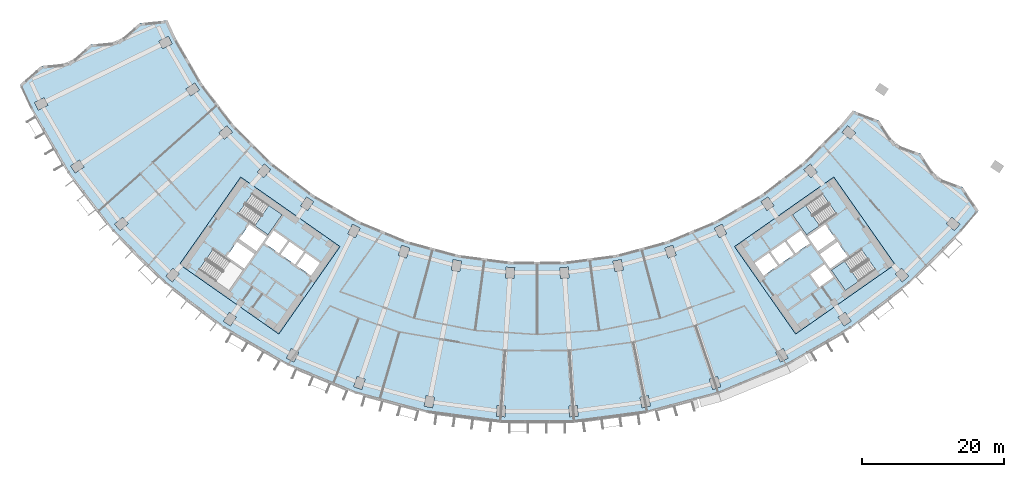
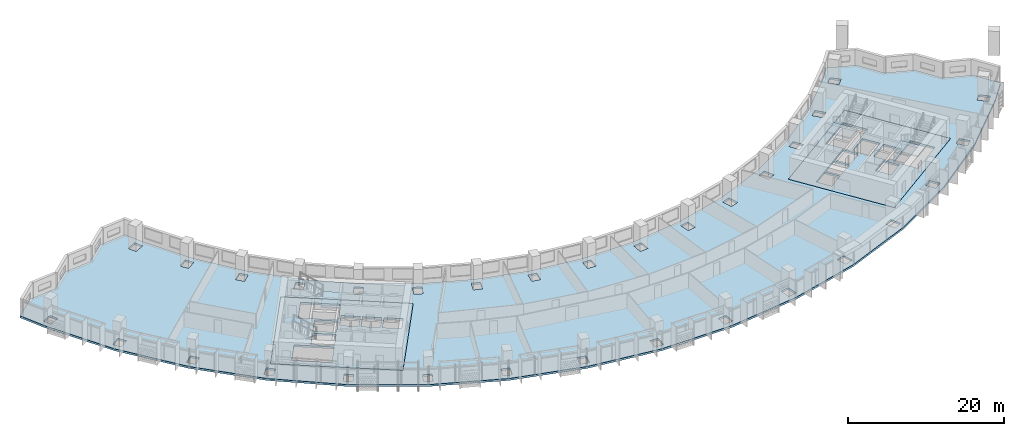
# One storey, part 2 of 28: 6 slabs, 3 elements without a shape of their own.
"""IFC4 building model written with IfcOpenShell, lengths in metres."""

from ifc_helpers import new_model, si_unit, direction, frame, origin, place, context, subcontext, project, spatial, polyline, outline, extrude, material, layer, layer_set, type_object, element, aggregate, save


model = new_model("IFC4")

# Units and contexts
model_context = context("Model", 3, precision=1e-05, world=origin(), true_north=direction((0.0, 1.0)))
body_context = subcontext(model_context, "Body", "Model", "MODEL_VIEW")
ifc_project = project(units=[si_unit("LENGTHUNIT", "METRE"), si_unit("AREAUNIT", "SQUARE_METRE"), si_unit("VOLUMEUNIT", "CUBIC_METRE"), si_unit("PLANEANGLEUNIT", "RADIAN"), si_unit("MASSUNIT", "GRAM", prefix="KILO")], contexts=[model_context])

# Site, building, storey
site_placement = place(None, origin())
site = spatial("IfcSite", under=ifc_project, at=site_placement, CompositionType="ELEMENT")
building_placement = place(site_placement, origin())
building = spatial("IfcBuilding", under=site, at=building_placement, Name="Qamariyya Broadcast Tower", CompositionType="ELEMENT")
storey_placement = place(building_placement, frame((0.0, 0.0, 140.5)))
storey = spatial("IfcBuildingStorey", under=building, at=storey_placement, Name="L32", CompositionType="ELEMENT", Elevation=140.5)

# Slabs
ifc_material_1 = material(Name="Concrete C40/50", Category="concrete")
ifc_layer_1 = layer(ifc_material_1, 0.300048828125)
ifc_layer_set_1 = layer_set([ifc_layer_1], Name="Core floor slab 300 mm Concrete C40/50")
slab_type_1 = type_object("IfcSlabType", Name="Core floor slab 300 mm Concrete C40/50", PredefinedType="FLOOR", material=ifc_layer_set_1)
slab_1_placement = place(storey_placement, frame((0.0, 0.0, -0.300048828125)))
element("IfcSlab", 1, at=slab_1_placement, inside=storey, type_object=slab_type_1, Name="k-W-L32-slab", PredefinedType="FLOOR", context=body_context, shape_type="SweptSolid", body=[
    extrude(outline(polyline([(-50.286376953125, -56.95751953125), (-36.32373046875, -66.734375), (-27.719970703125, -54.447021484375), (-41.6826171875, -44.67041015625), (-50.286376953125, -56.95751953125)]), holes=[polyline([(-31.80859375, -58.542724609375), (-33.8154296875, -57.137451171875), (-32.5537109375, -55.335205078125), (-30.546630859375, -56.740478515625), (-31.80859375, -58.542724609375)]), polyline([(-34.061279296875, -56.96533203125), (-36.068115234375, -55.56005859375), (-34.806396484375, -53.758056640625), (-32.79931640625, -55.163330078125), (-34.061279296875, -56.96533203125)]), polyline([(-36.31396484375, -55.387939453125), (-38.32080078125, -53.982666015625), (-37.058837890625, -52.1806640625), (-35.052001953125, -53.5859375), (-36.31396484375, -55.387939453125)]), polyline([(-39.742431640625, -55.489990234375), (-42.199951171875, -53.769287109375), (-43.6337890625, -55.817138671875), (-41.17626953125, -57.537841796875), (-39.742431640625, -55.489990234375)]), polyline([(-39.45556640625, -55.080322265625), (-41.9130859375, -53.359619140625), (-40.47900390625, -51.311767578125), (-38.021728515625, -53.032470703125), (-39.45556640625, -55.080322265625)]), polyline([(-42.06103515625, -49.837890625), (-37.849609375, -52.78662109375), (-35.870849609375, -49.960693359375), (-40.082275390625, -47.01171875), (-42.06103515625, -49.837890625)]), polyline([(-47.538818359375, -57.66064453125), (-43.3271484375, -60.609619140625), (-41.348388671875, -57.783447265625), (-45.559814453125, -54.834716796875), (-47.538818359375, -57.66064453125)])]), origin(), (0.0, 0.0, 1.0), 0.300048828125),
])
slab_2_placement = place(storey_placement, frame((0.0, 0.0, -0.300048828125)))
element("IfcSlab", 2, at=slab_2_placement, inside=storey, type_object=slab_type_1, Name="k-E-L32-slab", PredefinedType="FLOOR", context=body_context, shape_type="SweptSolid", body=[
    extrude(outline(polyline([(36.32373046875, -66.734375), (50.286376953125, -56.95751953125), (41.6826171875, -44.67041015625), (27.719970703125, -54.447021484375), (36.32373046875, -66.734375)]), holes=[polyline([(31.80859375, -58.542724609375), (33.8154296875, -57.137451171875), (32.5537109375, -55.335205078125), (30.546630859375, -56.740478515625), (31.80859375, -58.542724609375)]), polyline([(34.061279296875, -56.96533203125), (36.068115234375, -55.56005859375), (34.806396484375, -53.758056640625), (32.79931640625, -55.163330078125), (34.061279296875, -56.96533203125)]), polyline([(36.31396484375, -55.387939453125), (38.32080078125, -53.982666015625), (37.058837890625, -52.1806640625), (35.052001953125, -53.5859375), (36.31396484375, -55.387939453125)]), polyline([(38.378662109375, -58.3369140625), (40.3857421875, -56.931640625), (41.6474609375, -58.73388671875), (39.640625, -60.13916015625), (38.378662109375, -58.3369140625)]), polyline([(39.742431640625, -55.489990234375), (42.199951171875, -53.769287109375), (43.6337890625, -55.817138671875), (41.17626953125, -57.537841796875), (39.742431640625, -55.489990234375)]), polyline([(39.45556640625, -55.080322265625), (41.9130859375, -53.359619140625), (40.47900390625, -51.311767578125), (38.021728515625, -53.032470703125), (39.45556640625, -55.080322265625)]), polyline([(40.082275390625, -47.01171875), (35.870849609375, -49.960693359375), (37.849609375, -52.78662109375), (42.06103515625, -49.837890625), (40.082275390625, -47.01171875)]), polyline([(45.559814453125, -54.834716796875), (41.348388671875, -57.783447265625), (43.3271484375, -60.609619140625), (47.538818359375, -57.66064453125), (45.559814453125, -54.834716796875)])]), origin(), (0.0, 0.0, 1.0), 0.300048828125),
])
ifc_layer_2 = layer(ifc_material_1, 0.300048828125)
ifc_layer_set_2 = layer_set([ifc_layer_2], Name="Post-tensioned floor slab 300 C40/50")
slab_type_2 = type_object("IfcSlabType", Name="Post-tensioned floor slab 300 C40/50", PredefinedType="FLOOR", material=ifc_layer_set_2)
slab_3_placement = place(storey_placement, frame((0.0, 0.0, -0.300048828125)))
element("IfcSlab", 3, at=slab_3_placement, inside=storey, type_object=slab_type_2, Name="Floor slab S4 L32", PredefinedType="FLOOR", context=body_context, shape_type="SweptSolid", body=[
    extrude(outline(polyline([(-69.721435546875, -29.05517578125), (-72.704345703125, -31.6630859375), (-71.1220703125, -35.073486328125), (-65.935546875, -44.056640625), (-59.620849609375, -52.2861328125), (-52.2861328125, -59.620849609375), (-44.056640625, -65.935546875), (-35.073486328125, -71.1220703125), (-25.490234375, -75.091552734375), (-15.470703125, -77.7763671875), (-5.1865234375, -79.130126953125), (5.1865234375, -79.130126953125), (15.470703125, -77.7763671875), (25.490234375, -75.091552734375), (35.073486328125, -71.1220703125), (44.056640625, -65.935546875), (52.2861328125, -59.620849609375), (59.620849609375, -52.2861328125), (62.031982421875, -49.401611328125), (59.82568359375, -46.1103515625), (56.13916015625, -44.70849609375), (53.931884765625, -41.416748046875), (50.246337890625, -40.015380859375), (48.0380859375, -36.722900390625), (44.353271484375, -35.322509765625), (42.62939453125, -37.385009765625), (37.385009765625, -42.62939453125), (31.500732421875, -47.144287109375), (25.077880859375, -50.852783203125), (18.2255859375, -53.69091796875), (11.0615234375, -55.610595703125), (3.708251953125, -56.57861328125), (-3.708251953125, -56.57861328125), (-11.0615234375, -55.610595703125), (-18.2255859375, -53.69091796875), (-25.077880859375, -50.852783203125), (-31.500732421875, -47.144287109375), (-37.385009765625, -42.62939453125), (-42.62939453125, -37.385009765625), (-47.144287109375, -31.500732421875), (-50.852783203125, -25.077880859375), (-51.984130859375, -22.639404296875), (-55.90576171875, -23.038330078125), (-58.890869140625, -25.647216796875), (-62.813720703125, -26.046875), (-65.797607421875, -28.6552734375), (-69.721435546875, -29.05517578125)]), holes=[polyline([(-5.73291015625, -78.292724609375), (-5.634765625, -76.7958984375), (-4.437255859375, -76.874267578125), (-4.535400390625, -78.37109375), (-5.73291015625, -78.292724609375)]), polyline([(-15.903076171875, -76.87451171875), (-15.6103515625, -75.4033203125), (-14.43359375, -75.637451171875), (-14.72607421875, -77.108642578125), (-15.903076171875, -76.87451171875)]), polyline([(-25.80126953125, -74.14111328125), (-25.319091796875, -72.720703125), (-24.1826171875, -73.1064453125), (-24.664794921875, -74.52685546875), (-25.80126953125, -74.14111328125)]), polyline([(-35.2578125, -70.13916015625), (-34.59423828125, -68.7939453125), (-33.51806640625, -69.324462890625), (-34.181640625, -70.669921875), (-35.2578125, -70.13916015625)]), polyline([(-44.111083984375, -64.93701171875), (-43.27783203125, -63.689697265625), (-42.280029296875, -64.3564453125), (-43.11328125, -65.603759765625), (-44.111083984375, -64.93701171875)]), polyline([(-52.209716796875, -58.623779296875), (-51.220703125, -57.49609375), (-50.318603515625, -58.287353515625), (-51.3076171875, -59.4150390625), (-52.209716796875, -58.623779296875)]), polyline([(-12.098876953125, -57.749267578125), (-11.80615234375, -56.278076171875), (-10.629150390625, -56.51220703125), (-10.921875, -57.9833984375), (-12.098876953125, -57.749267578125)]), polyline([(-41.6826171875, -44.67041015625), (-27.719970703125, -54.447021484375), (-36.32373046875, -66.734375), (-50.286376953125, -56.95751953125), (-41.6826171875, -44.67041015625)]), polyline([(-19.051025390625, -54.255615234375), (-17.91455078125, -54.641357421875), (-18.396728515625, -56.061767578125), (-19.533203125, -55.676025390625), (-19.051025390625, -54.255615234375)]), polyline([(-26.633056640625, -52.650146484375), (-25.9697265625, -51.3046875), (-24.8935546875, -51.83544921875), (-25.556884765625, -53.180908203125), (-26.633056640625, -52.650146484375)]), polyline([(-59.4150390625, -51.3076171875), (-58.287353515625, -50.318603515625), (-57.49609375, -51.220703125), (-58.623779296875, -52.209716796875), (-59.4150390625, -51.3076171875)]), polyline([(-33.277587890625, -48.723388671875), (-32.444091796875, -47.47607421875), (-31.4462890625, -48.142822265625), (-32.27978515625, -49.39013671875), (-33.277587890625, -48.723388671875)]), polyline([(-39.3525390625, -43.962890625), (-38.363525390625, -42.835205078125), (-37.461181640625, -43.62646484375), (-38.4501953125, -44.754150390625), (-39.3525390625, -43.962890625)]), polyline([(-65.603759765625, -43.11328125), (-64.3564453125, -42.280029296875), (-63.689697265625, -43.27783203125), (-64.93701171875, -44.111083984375), (-65.603759765625, -43.11328125)]), polyline([(-44.754150390625, -38.4501953125), (-43.62646484375, -37.461181640625), (-42.835205078125, -38.363525390625), (-43.962890625, -39.3525390625), (-44.754150390625, -38.4501953125)]), polyline([(-70.669921875, -34.181640625), (-69.324462890625, -33.51806640625), (-68.7939453125, -34.59423828125), (-70.13916015625, -35.2578125), (-70.669921875, -34.181640625)]), polyline([(-48.142822265625, -31.4462890625), (-47.47607421875, -32.444091796875), (-48.723388671875, -33.277587890625), (-49.39013671875, -32.27978515625), (-48.142822265625, -31.4462890625)]), polyline([(-51.83544921875, -24.8935546875), (-51.3046875, -25.9697265625), (-52.650146484375, -26.633056640625), (-53.180908203125, -25.556884765625), (-51.83544921875, -24.8935546875)]), polyline([(4.535400390625, -78.37109375), (4.437255859375, -76.874267578125), (5.634765625, -76.7958984375), (5.73291015625, -78.292724609375), (4.535400390625, -78.37109375)]), polyline([(14.72607421875, -77.108642578125), (14.43359375, -75.637451171875), (15.6103515625, -75.4033203125), (15.903076171875, -76.87451171875), (14.72607421875, -77.108642578125)]), polyline([(24.664794921875, -74.52685546875), (24.1826171875, -73.1064453125), (25.319091796875, -72.720703125), (25.80126953125, -74.14111328125), (24.664794921875, -74.52685546875)]), polyline([(34.181640625, -70.669921875), (33.51806640625, -69.324462890625), (34.59423828125, -68.7939453125), (35.2578125, -70.13916015625), (34.181640625, -70.669921875)]), polyline([(43.11328125, -65.603759765625), (42.280029296875, -64.3564453125), (43.27783203125, -63.689697265625), (44.111083984375, -64.93701171875), (43.11328125, -65.603759765625)]), polyline([(51.3076171875, -59.4150390625), (50.318603515625, -58.287353515625), (51.220703125, -57.49609375), (52.209716796875, -58.623779296875), (51.3076171875, -59.4150390625)]), polyline([(3.260009765625, -58.912841796875), (3.161865234375, -57.416015625), (4.359375, -57.337646484375), (4.45751953125, -58.83447265625), (3.260009765625, -58.912841796875)]), polyline([(-4.359375, -57.337646484375), (-3.161865234375, -57.416015625), (-3.260009765625, -58.912841796875), (-4.45751953125, -58.83447265625), (-4.359375, -57.337646484375)]), polyline([(10.629150390625, -56.51220703125), (11.80615234375, -56.278076171875), (12.098876953125, -57.749267578125), (10.921875, -57.9833984375), (10.629150390625, -56.51220703125)]), polyline([(36.32373046875, -66.734375), (27.719970703125, -54.447021484375), (41.6826171875, -44.67041015625), (50.286376953125, -56.95751953125), (36.32373046875, -66.734375)]), polyline([(18.396728515625, -56.061767578125), (17.91455078125, -54.641357421875), (19.051025390625, -54.255615234375), (19.533203125, -55.676025390625), (18.396728515625, -56.061767578125)]), polyline([(25.556884765625, -53.180908203125), (24.8935546875, -51.83544921875), (25.9697265625, -51.3046875), (26.633056640625, -52.650146484375), (25.556884765625, -53.180908203125)]), polyline([(58.623779296875, -52.209716796875), (57.49609375, -51.220703125), (58.287353515625, -50.318603515625), (59.4150390625, -51.3076171875), (58.623779296875, -52.209716796875)]), polyline([(32.27978515625, -49.39013671875), (31.4462890625, -48.142822265625), (32.444091796875, -47.47607421875), (33.277587890625, -48.723388671875), (32.27978515625, -49.39013671875)]), polyline([(38.4501953125, -44.754150390625), (37.461181640625, -43.62646484375), (38.363525390625, -42.835205078125), (39.3525390625, -43.962890625), (38.4501953125, -44.754150390625)]), polyline([(42.835205078125, -38.363525390625), (43.62646484375, -37.461181640625), (44.754150390625, -38.4501953125), (43.962890625, -39.3525390625), (42.835205078125, -38.363525390625)])]), origin(), (0.0, 0.0, 1.0), 0.300048828125),
])

# Stair, slab
ifc_material_2 = material(Name="Concrete C50/60", Category="concrete")
stair_type = type_object("IfcStairType", Name="Exit stair 22 risers of 173 mm", PredefinedType="HALF_TURN_STAIR", material=ifc_material_2)
stair_1_placement = place(storey_placement, origin())
stair_1 = element("IfcStair", 4, at=stair_1_placement, inside=storey, type_object=stair_type, Name="L32 Stair W2", PredefinedType="HALF_TURN_STAIR")
ifc_layer_3 = layer(ifc_material_2, 0.199951171875)
ifc_layer_set_3 = layer_set([ifc_layer_3], Name="Stair landing")
slab_type_3 = type_object("IfcSlabType", Name="Stair landing", PredefinedType="LANDING", material=ifc_layer_set_3)
slab_4_placement = place(storey_placement, frame((0.0, 0.0, 1.699951171875)))
slab_4 = element("IfcSlab", 5, at=slab_4_placement, type_object=slab_type_3, Name="ST-W2 landing 1", PredefinedType="LANDING", context=body_context, shape_type="SweptSolid", body=[
    extrude(outline(polyline([(-39.692138671875, -51.49658203125), (-37.849609375, -52.78662109375), (-35.870849609375, -49.960693359375), (-37.71337890625, -48.67041015625), (-39.692138671875, -51.49658203125)])), origin(), (0.0, 0.0, 1.0), 0.199951171875),
])
aggregate(stair_1, [slab_4])

stair_2_placement = place(storey_placement, origin())
stair_2 = element("IfcStair", 6, at=stair_2_placement, inside=storey, type_object=stair_type, Name="L32 Stair E2", PredefinedType="HALF_TURN_STAIR")
slab_5_placement = place(storey_placement, frame((0.0, 0.0, 1.699951171875)))
slab_5 = element("IfcSlab", 7, at=slab_5_placement, type_object=slab_type_3, Name="ST-E2 landing 1", PredefinedType="LANDING", context=body_context, shape_type="SweptSolid", body=[
    extrude(outline(polyline([(37.71337890625, -48.67041015625), (35.870849609375, -49.960693359375), (37.849609375, -52.78662109375), (39.692138671875, -51.49658203125), (37.71337890625, -48.67041015625)])), origin(), (0.0, 0.0, 1.0), 0.199951171875),
])
aggregate(stair_2, [slab_5])

stair_3_placement = place(storey_placement, origin())
stair_3 = element("IfcStair", 8, at=stair_3_placement, inside=storey, type_object=stair_type, Name="L32 Stair E1", PredefinedType="HALF_TURN_STAIR")
slab_6_placement = place(storey_placement, frame((0.0, 0.0, 1.699951171875)))
slab_6 = element("IfcSlab", 9, at=slab_6_placement, type_object=slab_type_3, Name="ST-E1 landing 1", PredefinedType="LANDING", context=body_context, shape_type="SweptSolid", body=[
    extrude(outline(polyline([(43.19091796875, -56.493408203125), (41.348388671875, -57.783447265625), (43.3271484375, -60.609619140625), (45.169677734375, -59.319580078125), (43.19091796875, -56.493408203125)])), origin(), (0.0, 0.0, 1.0), 0.199951171875),
])
aggregate(stair_3, [slab_6])

save(model, "model.ifc")
